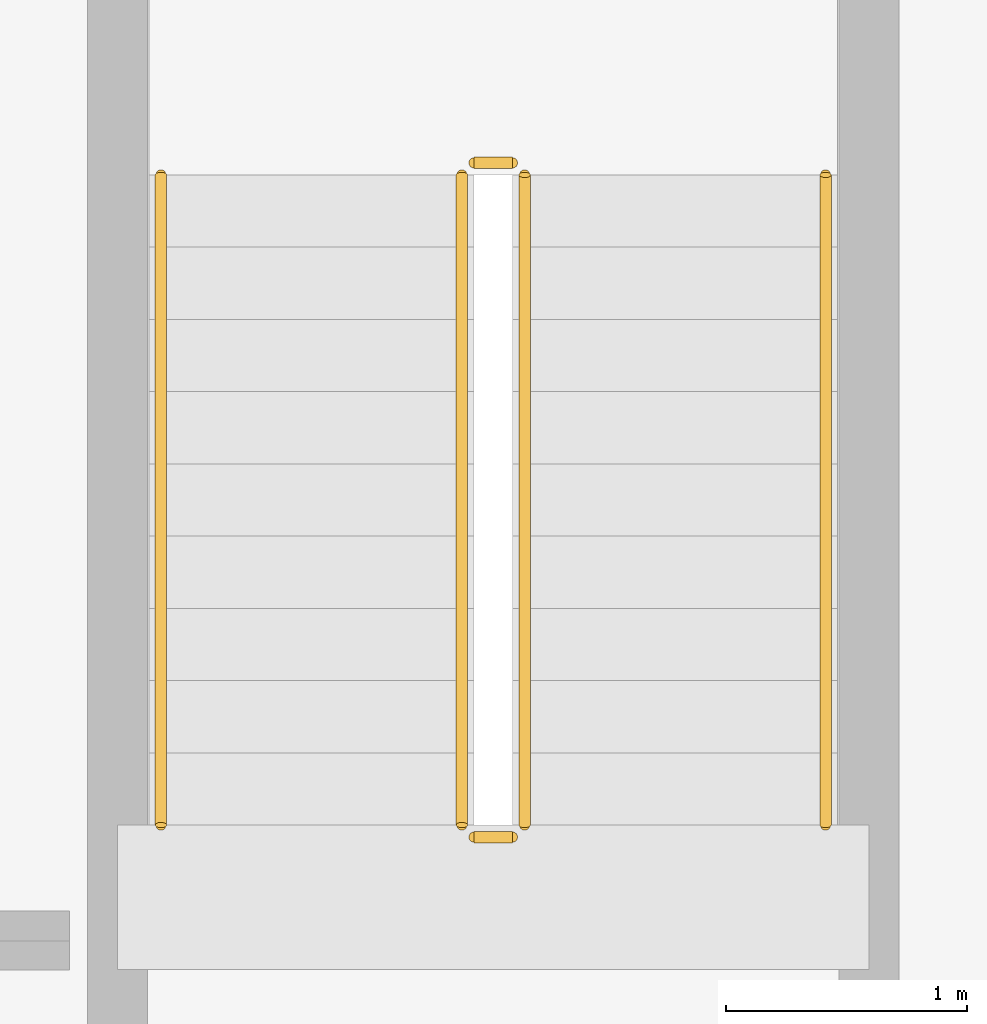
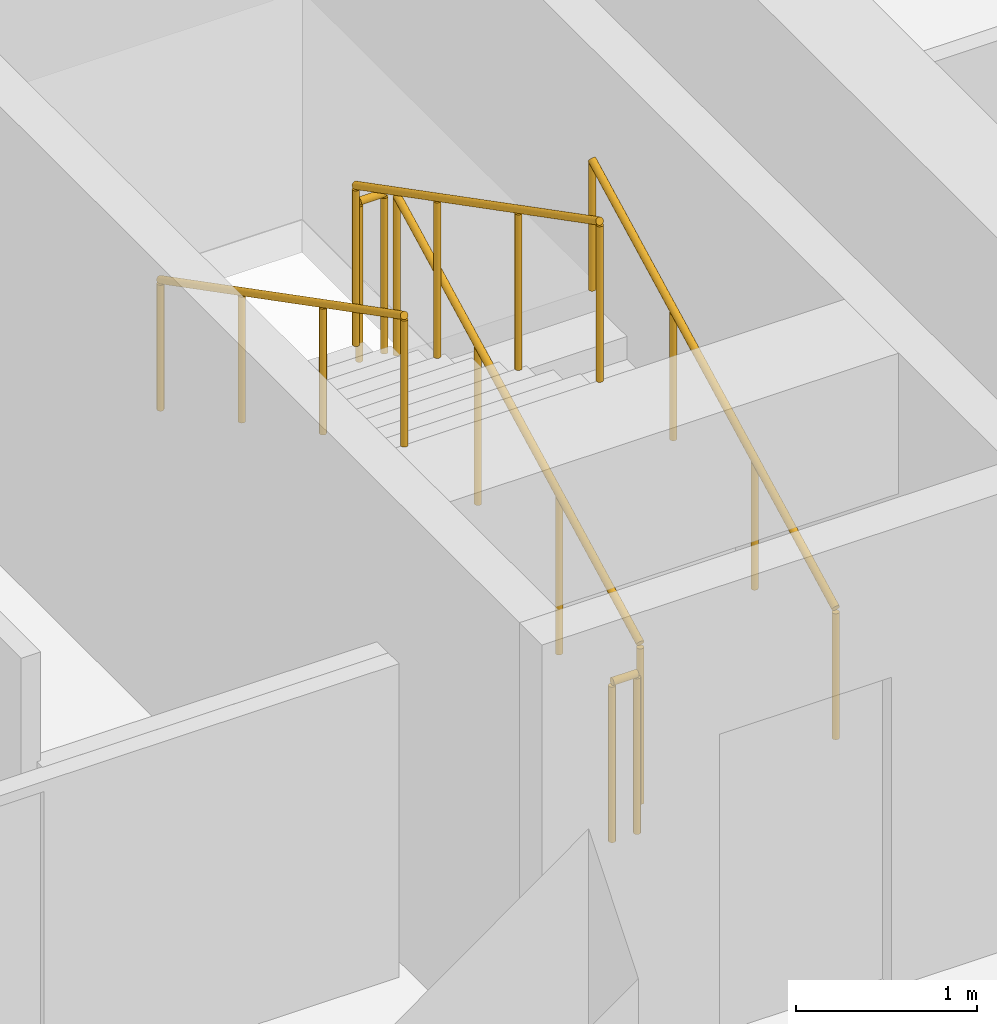
# One storey, part 10 of 10: 6 railings.
"""IFC4 building model written with IfcOpenShell, lengths in metres."""

import ifcopenshell
import ifcopenshell.guid

model = None  # the IFC model being written
_history = None  # IfcOwnerHistory: only IFC2X3 demands one
_inside = {}  # id of a spatial element -> (the spatial element, [elements in it])
_under = {}  # id of a project, library or spatial element -> (it, [spatial elements below it])
_declared = {}  # id of a project -> (the project, [libraries it declares])
_typed = {}  # id of a type object -> (the type object, [elements of that type])
_made_of = {}  # id of a material, layer set ... -> (it, [elements and type objects made of it])


def new_model(schema):
    """Start an empty IFC model of exactly this schema.

    Asked for "IFC4X3", IfcOpenShell would pick the latest addendum, in which some entities
    have other attributes; the version numbers below select the first issue.
    IFC2X3 requires an IfcOwnerHistory on every rooted entity: one is made here for all.
    """
    global model, _history
    if schema == "IFC4X3":
        model = ifcopenshell.file(schema_version=(4, 3, 0, 0))
    else:
        model = ifcopenshell.file(schema=schema)
    _inside.clear()
    _under.clear()
    _declared.clear()
    _typed.clear()
    _made_of.clear()
    _history = None
    if model.schema == "IFC2X3":
        org = make("IfcOrganization", Name="unknown")
        user = make(
            "IfcPersonAndOrganization",
            ThePerson=make("IfcPerson", FamilyName="unknown"),
            TheOrganization=org,
        )
        app = make(
            "IfcApplication",
            ApplicationDeveloper=org,
            Version="unknown",
            ApplicationFullName="unknown",
            ApplicationIdentifier="unknown",
        )
        _history = make(
            "IfcOwnerHistory",
            OwningUser=user,
            OwningApplication=app,
            ChangeAction="ADDED",
            CreationDate=0,
        )
    return model


def make(cls, **values):
    """One entity of the class cls with the attributes given. An attribute that is None is left unset."""
    return model.create_entity(
        cls, **{name: value for name, value in values.items() if value is not None}
    )


def rooted(cls, **values):
    """An entity with a GlobalId (a new one), such as an element, a storey or a relation."""
    return make(cls, GlobalId=ifcopenshell.guid.new(), OwnerHistory=_history, **values)


def si_unit(unit_type, name, prefix=None):
    """IfcSIUnit, for example si_unit("LENGTHUNIT", "METRE", prefix="MILLI")."""
    return make("IfcSIUnit", UnitType=unit_type, Prefix=prefix, Name=name)


def assignment(units):
    """IfcUnitAssignment: the units of a project."""
    return None if units is None else make("IfcUnitAssignment", Units=units)


def point(xyz):
    """IfcCartesianPoint."""
    return None if xyz is None else make("IfcCartesianPoint", Coordinates=xyz)


def direction(xyz):
    """IfcDirection."""
    return None if xyz is None else make("IfcDirection", DirectionRatios=xyz)


def frame(location, z_axis=None, x_axis=None):
    """IfcAxis2Placement3D, a coordinate frame: its origin and axes. An axis left out is left unset."""
    return make(
        "IfcAxis2Placement3D",
        Location=point(location),
        Axis=direction(z_axis),
        RefDirection=direction(x_axis),
    )


def frame_2d(location, x_axis=None):
    """IfcAxis2Placement2D, a coordinate frame in the plane: its origin and x axis."""
    return make(
        "IfcAxis2Placement2D", Location=point(location), RefDirection=direction(x_axis)
    )


def origin():
    """The frame at (0, 0, 0) with its axes left unset."""
    return frame((0.0, 0.0, 0.0))


def origin_2d():
    """The frame at (0, 0) in the plane with its x axis left unset."""
    return frame_2d((0.0, 0.0))


def place(relative_to, where):
    """IfcLocalPlacement: puts the frame where relative to a parent placement (None: the world)."""
    return make(
        "IfcLocalPlacement", PlacementRelTo=relative_to, RelativePlacement=where
    )


def context(
    kind, dimensions, precision=None, world=None, true_north=None, identifier=None
):
    """IfcGeometricRepresentationContext, for example the 3D "Model" context."""
    return make(
        "IfcGeometricRepresentationContext",
        ContextIdentifier=identifier,
        ContextType=kind,
        CoordinateSpaceDimension=dimensions,
        Precision=precision,
        WorldCoordinateSystem=world,
        TrueNorth=true_north,
    )


def subcontext(parent, identifier, kind, view, scale=None):
    """IfcGeometricRepresentationSubContext, for example "Body" below "Model"."""
    return make(
        "IfcGeometricRepresentationSubContext",
        ContextIdentifier=identifier,
        ContextType=kind,
        ParentContext=parent,
        TargetScale=scale,
        TargetView=view,
    )


def project(units=None, contexts=None):
    """IfcProject with its units and contexts."""
    return rooted(
        "IfcProject",
        Name="project",
        RepresentationContexts=contexts,
        UnitsInContext=assignment(units),
    )


def spatial(cls, under=None, at=None, **own):
    """A site, building, storey or space (cls), placed at a placement, below another one or the project."""
    s = rooted(cls, ObjectPlacement=at, **own)
    if under is not None:
        _under.setdefault(under.id(), (under, []))[1].append(s)
    return s


def profile(cls, at=None, kind="AREA", **sizes):
    """A parametric profile (cls). Its sizes go by their IFC names, for example OverallWidth=200.0."""
    return make(cls, ProfileType=kind, Position=at, **sizes)


def circle(**sizes):
    """IfcCircleProfileDef."""
    return profile("IfcCircleProfileDef", **sizes)


def extrude(swept, where, along, depth):
    """IfcExtrudedAreaSolid: the profile swept, set in the frame where, extruded along a direction by depth."""
    return make(
        "IfcExtrudedAreaSolid",
        SweptArea=swept,
        Position=where,
        ExtrudedDirection=direction(along),
        Depth=depth,
    )


def shape(context_of_items, identifier, shape_type, items):
    """IfcShapeRepresentation: the items that make up one representation, for example the "Body"."""
    return make(
        "IfcShapeRepresentation",
        ContextOfItems=context_of_items,
        RepresentationIdentifier=identifier,
        RepresentationType=shape_type,
        Items=items,
    )


def material(Name=None, Category=None):
    """IfcMaterial."""
    return make("IfcMaterial", Name=Name, Category=Category)


def made_of(thing, what):
    """Note that an element or type object is made of a material, layer set ...; save() writes the relation."""
    if what is not None:
        _made_of.setdefault(what.id(), (what, []))[1].append(thing)
    return thing


def type_object(cls, material=None, **own):
    """A type object (cls), such as IfcWallType, which elements share."""
    return made_of(rooted(cls, **own), material)


def element(
    cls,
    number,
    at=None,
    inside=None,
    cuts=None,
    type_object=None,
    material=None,
    context=None,
    identifier="Body",
    shape_type=None,
    held_by="IfcProductDefinitionShape",
    body=None,
    shapes=None,
    **own,
):
    """One element of the class cls, such as IfcWall. Its Tag is "e" and its number.

    at: its placement. inside: the storey or other place that contains it. cuts: it is an
    opening in that element (IfcRelVoidsElement). A single representation is given by context,
    identifier, shape_type and body (its items); several are given by shapes. held_by: the class
    of the entity that holds the representations. save() writes the other relations.
    """
    e = rooted(cls, Tag="e%d" % number, ObjectPlacement=at, **own)
    if body is not None:
        shapes = [shape(context, identifier, shape_type, body)]
    if shapes is not None:
        e.Representation = make(held_by, Representations=shapes)
    if inside is not None:
        _inside.setdefault(inside.id(), (inside, []))[1].append(e)
    if cuts is not None:
        rooted(
            "IfcRelVoidsElement", RelatingBuildingElement=cuts, RelatedOpeningElement=e
        )
    if type_object is not None:
        _typed.setdefault(type_object.id(), (type_object, []))[1].append(e)
    return made_of(e, material)


def aggregate(whole, parts):
    """IfcRelAggregates: a whole, such as a stair, and the parts it consists of."""
    return rooted("IfcRelAggregates", RelatingObject=whole, RelatedObjects=parts)


def save(model, path):
    """Write the relations noted so far, then the file.

    IfcRelAggregates (storeys below a building ...), IfcRelContainedInSpatialStructure (elements
    in a storey), IfcRelDefinesByType, IfcRelAssociatesMaterial and IfcRelDeclares: one each for
    every whole, place, type object, material and project.
    """
    for whole, parts in _under.values():
        aggregate(whole, parts)
    for where, things in _inside.values():
        rooted(
            "IfcRelContainedInSpatialStructure",
            RelatedElements=things,
            RelatingStructure=where,
        )
    for kind, things in _typed.values():
        rooted("IfcRelDefinesByType", RelatedObjects=things, RelatingType=kind)
    for what, things in _made_of.values():
        rooted("IfcRelAssociatesMaterial", RelatedObjects=things, RelatingMaterial=what)
    for by, libraries in _declared.values():
        rooted("IfcRelDeclares", RelatingContext=by, RelatedDefinitions=libraries)
    model.write(path)


model = new_model("IFC4")

# Units and contexts
model_context = context("Model", 3, precision=1e-05, world=origin(), true_north=direction((0.0, 1.0)))
body_context = subcontext(model_context, "Body", "Model", "MODEL_VIEW")
ifc_project = project(units=[si_unit("LENGTHUNIT", "METRE"), si_unit("AREAUNIT", "SQUARE_METRE"), si_unit("VOLUMEUNIT", "CUBIC_METRE"), si_unit("PLANEANGLEUNIT", "RADIAN"), si_unit("MASSUNIT", "GRAM", prefix="KILO")], contexts=[model_context])

# Site, building, storey
site_placement = place(None, origin())
site = spatial("IfcSite", under=ifc_project, at=site_placement, CompositionType="ELEMENT")
building_placement = place(site_placement, origin())
building = spatial("IfcBuilding", under=site, at=building_placement, Name="Solvane Sanctuary Tower", CompositionType="ELEMENT")
storey_placement = place(building_placement, frame((0.0, 0.0, 204.699951171875)))
storey = spatial("IfcBuildingStorey", under=building, at=storey_placement, Name="L62", CompositionType="ELEMENT", Elevation=204.699951171875)

# Railings
ifc_material = material(Name="Architectural Stainless Steel 316", Category="steel")
railing_type_1 = type_object("IfcRailingType", Name="Railing GR-BALC-1150", PredefinedType="BALUSTRADE", material=ifc_material)
railing_1_placement = place(storey_placement, frame((46.340087890625, 19.699951171875, 0.155029296875)))
element("IfcRailing", 1, at=railing_1_placement, inside=storey, type_object=railing_type_1, Name="L62 ST-2 stair guard 1", PredefinedType="BALUSTRADE", context=body_context, shape_type="SweptSolid", body=[
    extrude(circle(Radius=0.02392578125, at=origin_2d()), frame((0.0, 0.0, 1.076171875), z_axis=(0.0, 0.888419900624, 0.459031676658), x_axis=(-1.0, 0.0, 0.0)), (0.0, 0.0, 1.0), 3.0390625),
    extrude(circle(Radius=0.02099609375, at=origin_2d()), origin(), (0.0, 0.0, 1.0), 1.052001953125),
    extrude(circle(Radius=0.02099609375, at=origin_2d()), frame((0.0, 0.89990234375, 0.465087890625)), (0.0, 0.0, 1.0), 1.052001953125),
    extrude(circle(Radius=0.02099609375, at=origin_2d()), frame((0.0, 1.800048828125, 0.929931640625)), (0.0, 0.0, 1.0), 1.052001953125),
    extrude(circle(Radius=0.02099609375, at=origin_2d()), frame((0.0, 2.699951171875, 1.39501953125)), (0.0, 0.0, 1.0), 1.052001953125),
])
railing_2_placement = place(storey_placement, frame((46.2900390625, 22.449951171875, 1.550048828125)))
element("IfcRailing", 2, at=railing_2_placement, inside=storey, type_object=railing_type_1, Name="L62 ST-2 stair guard 2", PredefinedType="BALUSTRADE", context=body_context, shape_type="SweptSolid", body=[
    extrude(circle(Radius=0.02392578125, at=origin_2d()), frame((0.0, 0.0, 1.076171875), z_axis=(-1.0, 0.0, 0.0), x_axis=(0.0, -1.0, 0.0)), (0.0, 0.0, 1.0), 0.16015625),
    extrude(circle(Radius=0.02099609375, at=origin_2d()), origin(), (0.0, 0.0, 1.0), 1.052001953125),
    extrude(circle(Radius=0.02099609375, at=origin_2d()), frame((-0.16015625, 0.0, 0.0)), (0.0, 0.0, 1.0), 1.052001953125),
])
railing_3_placement = place(storey_placement, frame((46.080078125, 22.39990234375, 1.705078125)))
element("IfcRailing", 3, at=railing_3_placement, inside=storey, type_object=railing_type_1, Name="L62 ST-2 stair guard 3", PredefinedType="BALUSTRADE", context=body_context, shape_type="SweptSolid", body=[
    extrude(circle(Radius=0.02392578125, at=origin_2d()), frame((0.0, 0.0, 1.076171875), z_axis=(0.0, -0.888419900624, 0.459031676658), x_axis=(1.0, 0.0, 0.0)), (0.0, 0.0, 1.0), 3.0390625),
    extrude(circle(Radius=0.02099609375, at=origin_2d()), origin(), (0.0, 0.0, 1.0), 1.052001953125),
    extrude(circle(Radius=0.02099609375, at=origin_2d()), frame((0.0, -0.89990234375, 0.465087890625)), (0.0, 0.0, 1.0), 1.052001953125),
    extrude(circle(Radius=0.02099609375, at=origin_2d()), frame((0.0, -1.800048828125, 0.929931640625)), (0.0, 0.0, 1.0), 1.052001953125),
    extrude(circle(Radius=0.02099609375, at=origin_2d()), frame((0.0, -2.699951171875, 1.39501953125)), (0.0, 0.0, 1.0), 1.052001953125),
])
railing_4_placement = place(storey_placement, frame((46.2900390625, 19.64990234375, 0.0)))
element("IfcRailing", 4, at=railing_4_placement, inside=storey, type_object=railing_type_1, Name="L62 ST-2 stair guard 4", PredefinedType="BALUSTRADE", context=body_context, shape_type="SweptSolid", body=[
    extrude(circle(Radius=0.02392578125, at=origin_2d()), frame((0.0, 0.0, 1.076171875), z_axis=(-1.0, 0.0, 0.0), x_axis=(0.0, -1.0, 0.0)), (0.0, 0.0, 1.0), 0.16015625),
    extrude(circle(Radius=0.02099609375, at=origin_2d()), origin(), (0.0, 0.0, 1.0), 1.052001953125),
    extrude(circle(Radius=0.02099609375, at=origin_2d()), frame((-0.16015625, 0.0, 0.0)), (0.0, 0.0, 1.0), 1.052001953125),
])
railing_type_2 = type_object("IfcRailingType", Name="Railing HR-STAIR-920", PredefinedType="HANDRAIL", material=ifc_material)
railing_5_placement = place(storey_placement, frame((47.590087890625, 19.699951171875, 0.155029296875)))
element("IfcRailing", 5, at=railing_5_placement, inside=storey, type_object=railing_type_2, Name="L62 ST-2 stair handrail 1", PredefinedType="HANDRAIL", context=body_context, shape_type="SweptSolid", body=[
    extrude(circle(Radius=0.02392578125, at=origin_2d()), frame((0.0, 0.0, 0.8759765625), z_axis=(0.0, 0.888419900624, 0.459031676658), x_axis=(-1.0, 0.0, 0.0)), (0.0, 0.0, 1.0), 3.0390625),
    extrude(circle(Radius=0.02099609375, at=origin_2d()), origin(), (0.0, 0.0, 1.0), 0.851806640625),
    extrude(circle(Radius=0.02099609375, at=origin_2d()), frame((0.0, 0.89990234375, 0.465087890625)), (0.0, 0.0, 1.0), 0.851806640625),
    extrude(circle(Radius=0.02099609375, at=origin_2d()), frame((0.0, 1.800048828125, 0.929931640625)), (0.0, 0.0, 1.0), 0.851806640625),
    extrude(circle(Radius=0.02099609375, at=origin_2d()), frame((0.0, 2.699951171875, 1.39501953125)), (0.0, 0.0, 1.0), 0.851806640625),
])
railing_6_placement = place(storey_placement, frame((44.830078125, 22.39990234375, 1.705078125)))
element("IfcRailing", 6, at=railing_6_placement, inside=storey, type_object=railing_type_2, Name="L62 ST-2 stair handrail 2", PredefinedType="HANDRAIL", context=body_context, shape_type="SweptSolid", body=[
    extrude(circle(Radius=0.02392578125, at=origin_2d()), frame((0.0, 0.0, 0.8759765625), z_axis=(0.0, -0.888419900624, 0.459031676658), x_axis=(1.0, 0.0, 0.0)), (0.0, 0.0, 1.0), 3.0390625),
    extrude(circle(Radius=0.02099609375, at=origin_2d()), origin(), (0.0, 0.0, 1.0), 0.851806640625),
    extrude(circle(Radius=0.02099609375, at=origin_2d()), frame((0.0, -0.89990234375, 0.465087890625)), (0.0, 0.0, 1.0), 0.851806640625),
    extrude(circle(Radius=0.02099609375, at=origin_2d()), frame((0.0, -1.800048828125, 0.929931640625)), (0.0, 0.0, 1.0), 0.851806640625),
    extrude(circle(Radius=0.02099609375, at=origin_2d()), frame((0.0, -2.699951171875, 1.39501953125)), (0.0, 0.0, 1.0), 0.851806640625),
])

save(model, "model.ifc")
